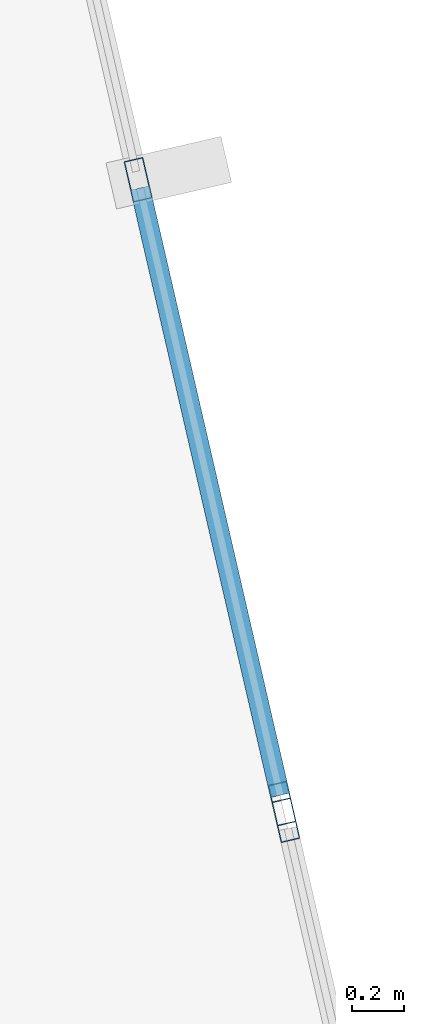
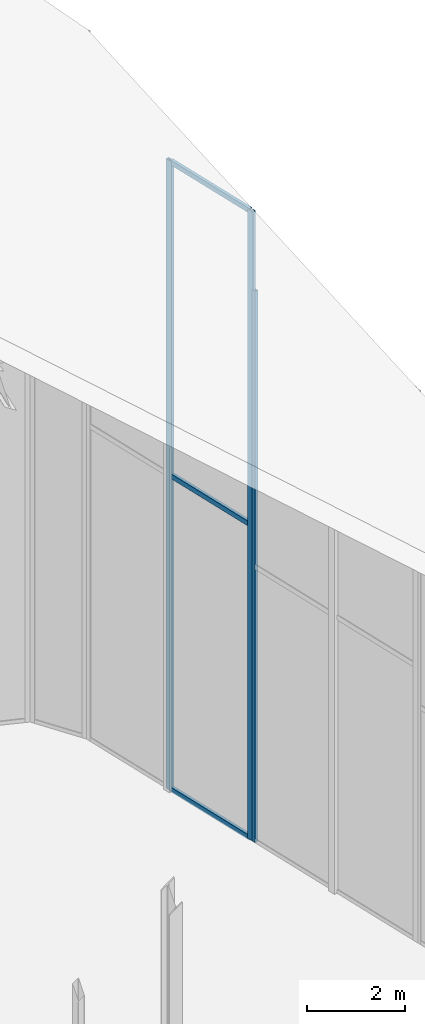
# One storey, part 63 of 74: 6 members, 2 elements without a shape of their own.
"""IFC4 building model written with IfcOpenShell, lengths in metres."""

from ifc_helpers import new_model, si_unit, direction, frame, origin, origin_2d, place, context, subcontext, project, spatial, hollow_rectangle, extrude, material, layer, layer_set, material_profile, profile_set, type_object, element, aggregate, save


model = new_model("IFC4")

# Units and contexts
model_context = context("Model", 3, precision=1e-05, world=origin(), true_north=direction((0.0, 1.0)))
body_context = subcontext(model_context, "Body", "Model", "MODEL_VIEW")
ifc_project = project(units=[si_unit("LENGTHUNIT", "METRE"), si_unit("AREAUNIT", "SQUARE_METRE"), si_unit("VOLUMEUNIT", "CUBIC_METRE"), si_unit("PLANEANGLEUNIT", "RADIAN"), si_unit("MASSUNIT", "GRAM", prefix="KILO")], contexts=[model_context])

# Site, building, storey
site_placement = place(None, origin())
site = spatial("IfcSite", under=ifc_project, at=site_placement, CompositionType="ELEMENT")
building_placement = place(site_placement, origin())
building = spatial("IfcBuilding", under=site, at=building_placement, Name="Keshet Zoharim Tower", CompositionType="ELEMENT")
storey_placement = place(building_placement, frame((0.0, 0.0, 320.0)))
storey = spatial("IfcBuildingStorey", under=building, at=storey_placement, Name="RF", CompositionType="ELEMENT", Elevation=320.0)

# Curtain wall, members
ifc_material = material(Name="Aluminium 6063-T6", Category="aluminium")
ifc_layer = layer(ifc_material, 0.260009765625)
ifc_layer_set = layer_set([ifc_layer], Name="Aluminium 6063-T6")
curtain_wall_type = type_object("IfcCurtainWallType", Name="CW-SYS-06", PredefinedType="NOTDEFINED", material=ifc_layer_set)
curtain_wall_1_placement = place(storey_placement, origin())
curtain_wall_1 = element("IfcCurtainWall", 1, at=curtain_wall_1_placement, inside=storey, type_object=curtain_wall_type, Name="Slanted Crown Curtain Wall 17", PredefinedType="NOTDEFINED")
ifc_material_profile_1 = material_profile(ifc_material, hollow_rectangle(XDim=0.074951171875, YDim=0.159912109375, WallThickness=0.00390625, at=origin_2d()), Name="MUL-75x160")
ifc_profile_set_1 = profile_set([ifc_material_profile_1], Name="Aluminium 6063-T6")
member_type_1 = type_object("IfcMemberType", Name="CWM-M15", PredefinedType="MULLION", material=ifc_profile_set_1)
member_1_placement = place(storey_placement, frame((39.9140625, 49.94091796875, 0.0), z_axis=(0.0, 0.0, 1.0), x_axis=(0.974384378225, 0.224889047025, 0.0)))
member_1 = element("IfcMember", 2, at=member_1_placement, type_object=member_type_1, Name="CW-06 mullion 2", PredefinedType="MULLION", context=body_context, shape_type="SweptSolid", body=[
    extrude(hollow_rectangle(XDim=0.074951171875, YDim=0.159912109375, WallThickness=0.00390625, at=origin_2d()), origin(), (0.0, 0.0, 1.0), 15.678955078125),
])
member_2_placement = place(storey_placement, frame((40.462646484375, 47.563720703125, 0.0), z_axis=(0.0, 0.0, 1.0), x_axis=(0.974384378225, 0.224889047025, 0.0)))
member_2 = element("IfcMember", 3, at=member_2_placement, type_object=member_type_1, Name="CW-06 mullion 3", PredefinedType="MULLION", context=body_context, shape_type="SweptSolid", body=[
    extrude(hollow_rectangle(XDim=0.074951171875, YDim=0.159912109375, WallThickness=0.00390625, at=origin_2d()), origin(), (0.0, 0.0, 1.0), 15.678955078125),
])

# Curtain wall, member
curtain_wall_2_placement = place(storey_placement, origin())
curtain_wall_2 = element("IfcCurtainWall", 4, at=curtain_wall_2_placement, inside=storey, type_object=curtain_wall_type, Name="Slanted Crown Curtain Wall 18", PredefinedType="NOTDEFINED")
member_3_placement = place(storey_placement, frame((40.477294921875, 47.500244140625, 0.0), z_axis=(0.0, 0.0, 1.0), x_axis=(0.974418463235, 0.224741314643, 0.0)))
member_3 = element("IfcMember", 5, at=member_3_placement, type_object=member_type_1, Name="CW-06 mullion 1", PredefinedType="MULLION", context=body_context, shape_type="SweptSolid", body=[
    extrude(hollow_rectangle(XDim=0.074951171875, YDim=0.159912109375, WallThickness=0.00390625, at=origin_2d()), origin(), (0.0, 0.0, 1.0), 13.735107421875),
])
aggregate(curtain_wall_2, [member_3])

# Member
ifc_material_profile_2 = material_profile(ifc_material, hollow_rectangle(XDim=0.074951171875, YDim=0.1201171875, WallThickness=0.00390625, at=origin_2d()), Name="TRN-75x120")
ifc_profile_set_2 = profile_set([ifc_material_profile_2], Name="Aluminium 6063-T6")
member_type_2 = type_object("IfcMemberType", Name="CWT-T12", PredefinedType="USERDEFINED", material=ifc_profile_set_2)
member_4_placement = place(storey_placement, frame((39.92138671875, 49.909423828125, 0.032470703125), z_axis=(0.224814461099, -0.974401589736, 0.0), x_axis=(0.974401589736, 0.224814461099, 0.0)))
member_4 = element("IfcMember", 6, at=member_4_placement, type_object=member_type_2, Name="CW-06 transom 2.1", ObjectType="TRANSOM", PredefinedType="USERDEFINED", context=body_context, shape_type="SweptSolid", body=[
    extrude(hollow_rectangle(XDim=0.074951171875, YDim=0.1201171875, WallThickness=0.00390625, at=origin_2d()), origin(), (0.0, 0.0, 1.0), 2.375),
])

member_5_placement = place(storey_placement, frame((39.92138671875, 49.909423828125, 7.839111328125), z_axis=(0.224814461099, -0.974401589736, 0.0), x_axis=(0.974401589736, 0.224814461099, 0.0)))
member_5 = element("IfcMember", 7, at=member_5_placement, type_object=member_type_2, Name="CW-06 transom 2.2", ObjectType="TRANSOM", PredefinedType="USERDEFINED", context=body_context, shape_type="SweptSolid", body=[
    extrude(hollow_rectangle(XDim=0.074951171875, YDim=0.1201171875, WallThickness=0.00390625, at=origin_2d()), origin(), (0.0, 0.0, 1.0), 2.375),
])

member_6_placement = place(storey_placement, frame((39.92138671875, 49.909423828125, 15.646484375), z_axis=(0.224814461099, -0.974401589736, 0.0), x_axis=(0.974401589736, 0.224814461099, 0.0)))
member_6 = element("IfcMember", 8, at=member_6_placement, type_object=member_type_2, Name="CW-06 transom 2.3", ObjectType="TRANSOM", PredefinedType="USERDEFINED", context=body_context, shape_type="SweptSolid", body=[
    extrude(hollow_rectangle(XDim=0.074951171875, YDim=0.1201171875, WallThickness=0.00390625, at=origin_2d()), origin(), (0.0, 0.0, 1.0), 2.375),
])

aggregate(curtain_wall_1, [member_1, member_2, member_4, member_5, member_6])

save(model, "model.ifc")
